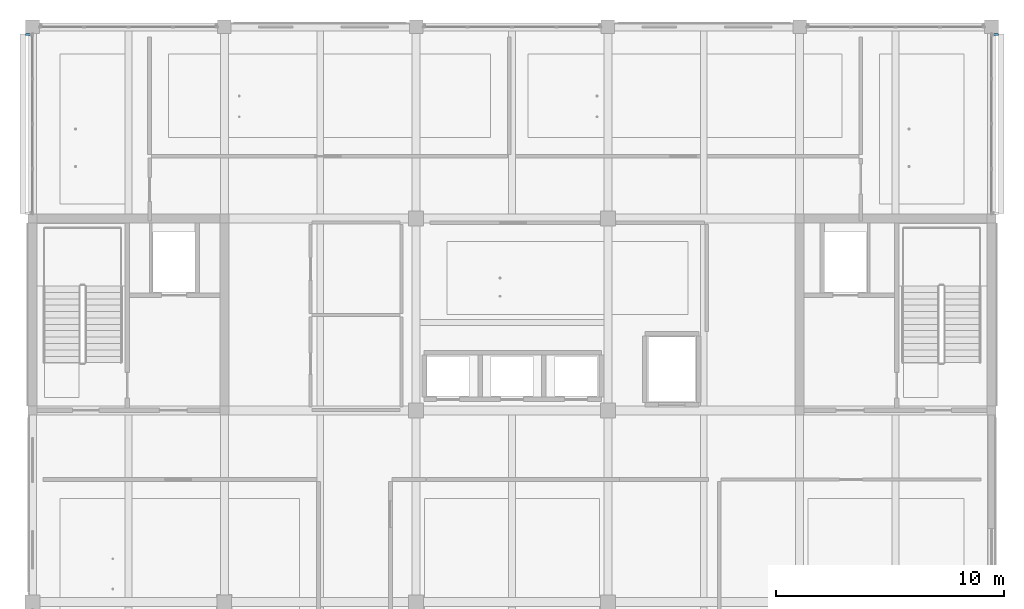
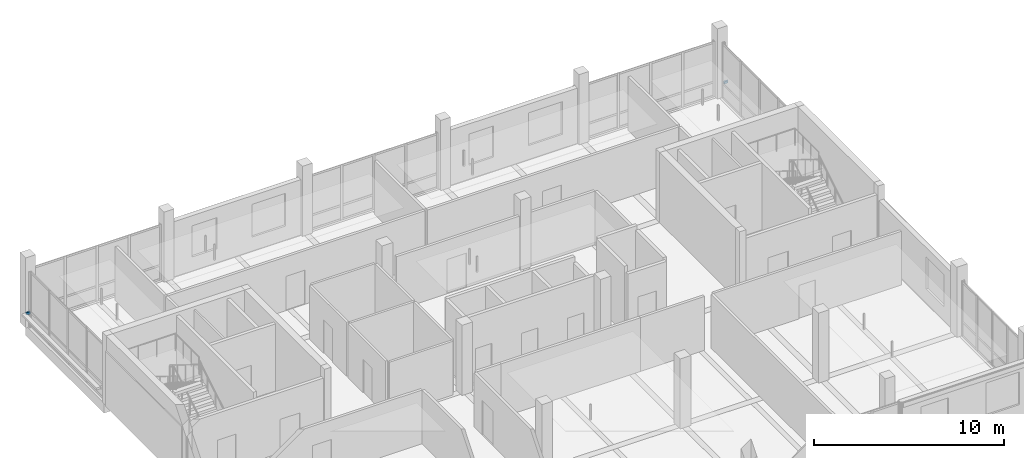
# One storey, part 20 of 30: 2 discrete accessories.
"""IFC4 building model written with IfcOpenShell, lengths in metres."""

from ifc_helpers import new_model, si_unit, direction, frame, origin, origin_2d, place, context, subcontext, project, spatial, rectangle, extrude, material, type_object, element, save


model = new_model("IFC4")

# Units and contexts
model_context = context("Model", 3, precision=1e-05, world=origin(), true_north=direction((0.0, 1.0)))
body_context = subcontext(model_context, "Body", "Model", "MODEL_VIEW")
ifc_project = project(units=[si_unit("LENGTHUNIT", "METRE"), si_unit("AREAUNIT", "SQUARE_METRE"), si_unit("VOLUMEUNIT", "CUBIC_METRE"), si_unit("PLANEANGLEUNIT", "RADIAN"), si_unit("MASSUNIT", "GRAM", prefix="KILO")], contexts=[model_context])

# Site, building, storey
site_placement = place(None, origin())
site = spatial("IfcSite", under=ifc_project, at=site_placement, CompositionType="ELEMENT")
building_placement = place(site_placement, origin())
building = spatial("IfcBuilding", under=site, at=building_placement, Name="Telukmera Botanical Conservatory", CompositionType="ELEMENT")
storey_placement = place(building_placement, frame((0.0, 0.0, 60.0)))
storey = spatial("IfcBuildingStorey", under=building, at=storey_placement, Name="L13", CompositionType="ELEMENT", Elevation=60.0)

# Discrete accessories
ifc_material = material(Name="Steel S355", Category="steel")
discrete_accessory_type = type_object("IfcDiscreteAccessoryType", Name="Structural Steel Facade Outrigger Fin Bracket", PredefinedType="BRACKET", material=ifc_material)
for number, where, z_axis, x_axis, name in (
    (1, (58.610107421875, 42.468017578125, 0.8798828125), (0.0, 0.0, 1.0), (0.0, 1.0, 0.0), "Facade Outrigger Bracket V4:L13:W4 B"),
    (2, (100.989990234375, 42.468017578125, 0.8798828125), (0.0, 0.0, 1.0), (0.0, 1.0, 0.0), "Facade Outrigger Bracket V4:L13:E4 B"),
):
    element("IfcDiscreteAccessory", number, at=place(storey_placement, frame(where, z_axis=z_axis, x_axis=x_axis)), inside=storey, type_object=discrete_accessory_type, Name=name, PredefinedType="BRACKET", context=body_context, shape_type="SweptSolid", body=[
        extrude(rectangle(XDim=0.10009765625, YDim=0.239990234375, at=origin_2d()), origin(), (0.0, 0.0, 1.0), 0.139892578125),
    ])

save(model, "model.ifc")
